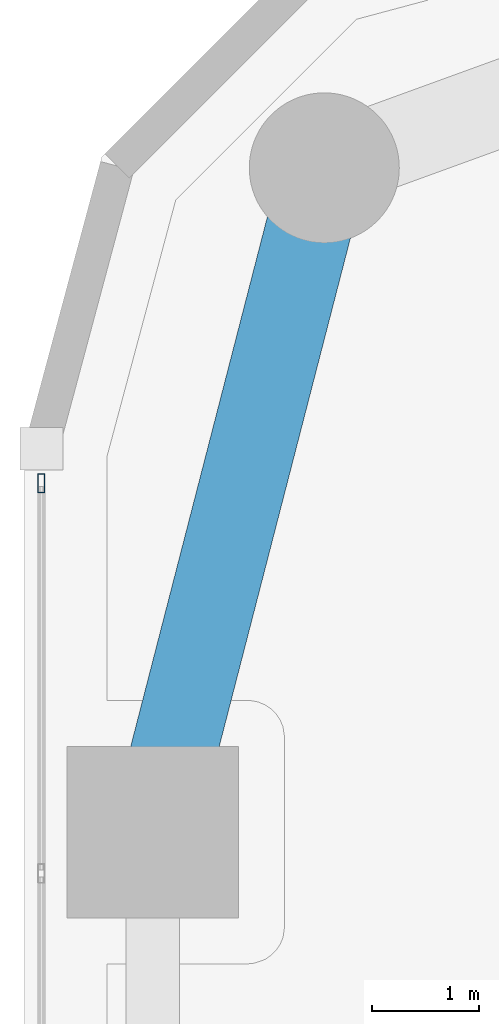
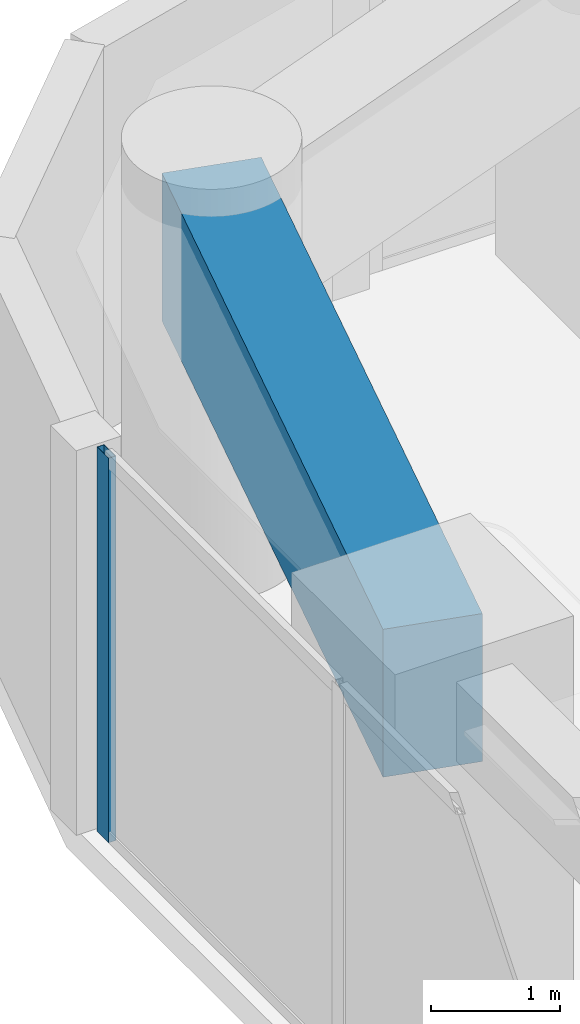
# One storey, part 14 of 28: 1 beam, 1 member, 1 element without a shape of its own.
"""IFC4 building model written with IfcOpenShell, lengths in metres."""

from ifc_helpers import new_model, si_unit, direction, frame, origin, origin_2d, place, context, subcontext, project, spatial, rectangle, hollow_rectangle, extrude, material, layer, layer_set, material_profile, profile_set, type_object, element, aggregate, save


model = new_model("IFC4")

# Units and contexts
model_context = context("Model", 3, precision=1e-05, world=origin(), true_north=direction((0.0, 1.0)))
body_context = subcontext(model_context, "Body", "Model", "MODEL_VIEW")
ifc_project = project(units=[si_unit("LENGTHUNIT", "METRE"), si_unit("AREAUNIT", "SQUARE_METRE"), si_unit("VOLUMEUNIT", "CUBIC_METRE"), si_unit("PLANEANGLEUNIT", "RADIAN"), si_unit("MASSUNIT", "GRAM", prefix="KILO")], contexts=[model_context])

# Site, building, storey
site_placement = place(None, origin())
site = spatial("IfcSite", under=ifc_project, at=site_placement, CompositionType="ELEMENT")
building_placement = place(site_placement, origin())
building = spatial("IfcBuilding", under=site, at=building_placement, Name="Kiyonajd Concourse Tower", CompositionType="ELEMENT")
storey_placement = place(building_placement, frame((0.0, 0.0, 60.60009765625)))
storey = spatial("IfcBuildingStorey", under=building, at=storey_placement, Name="L16", CompositionType="ELEMENT", Elevation=60.60009765625)

# Beam
ifc_material_1 = material(Name="Concrete C60/75", Category="concrete")
ifc_material_profile_1 = material_profile(ifc_material_1, rectangle(XDim=0.800048828125, YDim=1.39990234375, at=origin_2d()), Name="RCBM-800x1400")
ifc_profile_set_1 = profile_set([ifc_material_profile_1], Name="Concrete C60/75")
beam_type = type_object("IfcBeamType", Name="BM-XFER-RC", PredefinedType="BEAM", material=ifc_profile_set_1)
beam_placement = place(storey_placement, frame((20.800048828125, 59.60009765625, 2.93994140625), z_axis=(-0.249884937687, -0.968275538221, 0.0), x_axis=(0.968275538221, -0.249884937687, 0.0)))
element("IfcBeam", 1, at=beam_placement, inside=storey, type_object=beam_type, Name="L16 Perimeter Bundled Tube Spandrel", PredefinedType="BEAM", context=body_context, shape_type="SweptSolid", body=[
    extrude(rectangle(XDim=0.800048828125, YDim=1.39990234375, at=origin_2d()), origin(), (0.0, 0.0, 1.0), 6.4033203125),
])

# Curtain wall, member
ifc_material_2 = material(Name="Thermally Broken Anodised Aluminium", Category="aluminium")
ifc_layer = layer(ifc_material_2, 0.179931640625)
ifc_layer_set = layer_set([ifc_layer], Name="Thermally Broken Anodised Aluminium")
curtain_wall_type = type_object("IfcCurtainWallType", Name="CW-SYS-02", PredefinedType="NOTDEFINED", material=ifc_layer_set)
curtain_wall_placement = place(storey_placement, origin())
curtain_wall = element("IfcCurtainWall", 2, at=curtain_wall_placement, inside=storey, type_object=curtain_wall_type, Name="L16 Unitised Curtain Wall CW2", PredefinedType="NOTDEFINED")
ifc_material_profile_2 = material_profile(ifc_material_2, hollow_rectangle(XDim=0.06494140625, YDim=0.179931640625, WallThickness=0.00390625, at=origin_2d()), Name="MULL-65x180")
ifc_profile_set_2 = profile_set([ifc_material_profile_2], Name="Thermally Broken Anodised Aluminium")
member_type = type_object("IfcMemberType", Name="MB-CW-MULL1", PredefinedType="MULLION", material=ifc_profile_set_2)
member_placement = place(storey_placement, frame((18.159912109375, 56.656494140625, 0.0), z_axis=(0.0, 0.0, 1.0), x_axis=(-1.0, 0.0, 0.0)))
member = element("IfcMember", 3, at=member_placement, type_object=member_type, Name="CW2 mullion 7", PredefinedType="MULLION", context=body_context, shape_type="SweptSolid", body=[
    extrude(hollow_rectangle(XDim=0.06494140625, YDim=0.179931640625, WallThickness=0.00390625, at=origin_2d()), origin(), (0.0, 0.0, 1.0), 3.639892578125),
])
aggregate(curtain_wall, [member])

save(model, "model.ifc")
